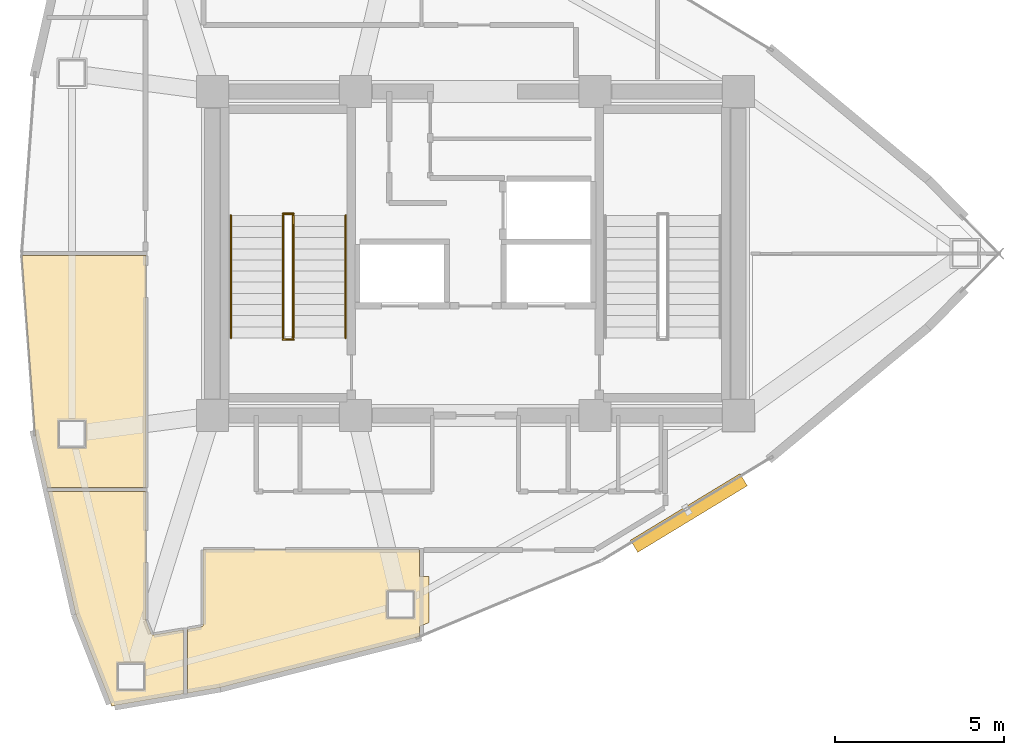
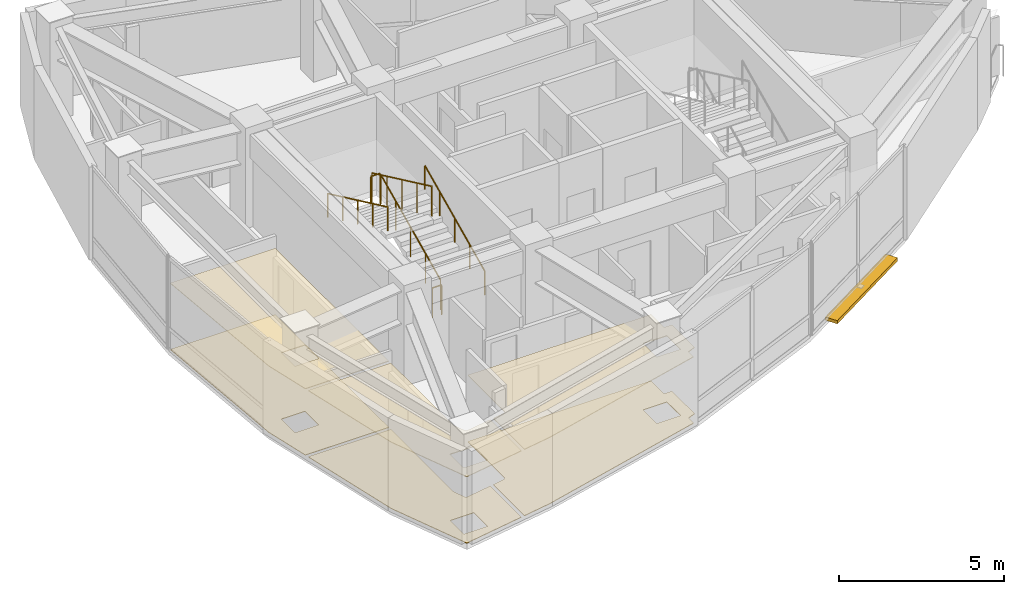
# One storey, part 14 of 15: 6 coverings, 6 railings, 1 shading device.
"""IFC4 building model written with IfcOpenShell, lengths in metres."""

from ifc_helpers import new_model, si_unit, direction, frame, origin, origin_2d, place, context, subcontext, project, spatial, polyline, rectangle, circle, outline, extrude, material, layer, layer_set, type_object, element, save


model = new_model("IFC4")

# Units and contexts
model_context = context("Model", 3, precision=1e-05, world=origin(), true_north=direction((0.0, 1.0)))
body_context = subcontext(model_context, "Body", "Model", "MODEL_VIEW")
ifc_project = project(units=[si_unit("LENGTHUNIT", "METRE"), si_unit("AREAUNIT", "SQUARE_METRE"), si_unit("VOLUMEUNIT", "CUBIC_METRE"), si_unit("PLANEANGLEUNIT", "RADIAN"), si_unit("MASSUNIT", "GRAM", prefix="KILO")], contexts=[model_context])

# Site, building, storey
site_placement = place(None, origin())
site = spatial("IfcSite", under=ifc_project, at=site_placement, CompositionType="ELEMENT")
building_placement = place(site_placement, origin())
building = spatial("IfcBuilding", under=site, at=building_placement, Name="Menara Vayukalpa", CompositionType="ELEMENT")
storey_placement = place(building_placement, frame((0.0, 0.0, 295.5)))
storey = spatial("IfcBuildingStorey", under=building, at=storey_placement, Name="L75", CompositionType="ELEMENT", Elevation=295.5)

# Coverings
ifc_material_1 = material(Name="Mineral Fibre Acoustic Ceiling Tile", Category="masonry")
ifc_layer_1 = layer(ifc_material_1, 0.02490234375)
ifc_layer_set_1 = layer_set([ifc_layer_1], Name="Mineral Fibre Acoustic Ceiling Tile")
covering_type_1 = type_object("IfcCoveringType", Name="COV-CLG1", PredefinedType="CEILING", material=ifc_layer_set_1)
covering_1_placement = place(storey_placement, frame((0.0, 0.0, 2.449951171875)))
element("IfcCovering", 1, at=covering_1_placement, inside=storey, type_object=covering_type_1, Name="L75 Visitor Reception Lounge Acoustic Ceiling", PredefinedType="CEILING", context=body_context, shape_type="SweptSolid", body=[
    extrude(outline(polyline([(12.1533203125, 21.92919921875), (12.1533203125, 21.93017578125), (12.1533203125, 21.93115234375), (12.153564453125, 21.93212890625), (12.15380859375, 21.93310546875), (12.154052734375, 21.93408203125), (12.154541015625, 21.934814453125), (12.155029296875, 21.935791015625), (12.155517578125, 21.936279296875), (12.15625, 21.93701171875), (12.156982421875, 21.937744140625), (12.15771484375, 21.9384765625), (12.15869140625, 21.93896484375), (12.159423828125, 21.939208984375), (12.160400390625, 21.939697265625), (12.161376953125, 21.939697265625), (12.162353515625, 21.93994140625), (12.163330078125, 21.93994140625), (15.820068359375, 21.93994140625), (15.821044921875, 21.93994140625), (15.822021484375, 21.939697265625), (15.822998046875, 21.939697265625), (15.82373046875, 21.939208984375), (15.82470703125, 21.938720703125), (15.82568359375, 21.938232421875), (15.826416015625, 21.937744140625), (15.8271484375, 21.93701171875), (15.82763671875, 21.936279296875), (15.828369140625, 21.935546875), (15.828857421875, 21.934814453125), (15.8291015625, 21.933837890625), (15.82958984375, 21.932861328125), (15.829833984375, 21.931884765625), (15.830078125, 21.930908203125), (15.830078125, 21.929931640625), (15.830078125, 15.070068359375), (15.830078125, 15.069091796875), (15.829833984375, 15.068115234375), (15.82958984375, 15.067138671875), (15.8291015625, 15.066162109375), (15.828857421875, 15.065185546875), (15.828369140625, 15.064453125), (15.82763671875, 15.063720703125), (15.8271484375, 15.06298828125), (15.826416015625, 15.062255859375), (15.82568359375, 15.061767578125), (15.82470703125, 15.061279296875), (15.82373046875, 15.060791015625), (15.822998046875, 15.060302734375), (15.822021484375, 15.060302734375), (15.821044921875, 15.06005859375), (15.820068359375, 15.06005859375), (12.915771484375, 15.06005859375), (12.914794921875, 15.06005859375), (12.913818359375, 15.060302734375), (12.912841796875, 15.060302734375), (12.911865234375, 15.060791015625), (12.9111328125, 15.06103515625), (12.91015625, 15.0615234375), (12.909423828125, 15.062255859375), (12.90869140625, 15.062744140625), (12.908203125, 15.0634765625), (12.907470703125, 15.064208984375), (12.906982421875, 15.065185546875), (12.906494140625, 15.06591796875), (12.90625, 15.06689453125), (12.906005859375, 15.06787109375), (12.549072265625, 16.654052734375), (12.548828125, 16.655517578125), (12.1533203125, 21.92919921875)]), holes=[polyline([(14.053955078125, 17.068359375), (13.22412109375, 17.068359375), (13.22412109375, 16.23828125), (14.053955078125, 16.23828125), (14.053955078125, 17.068359375)])]), origin(), (0.0, 0.0, 1.0), 0.025146484375),
])
covering_2_placement = place(storey_placement, frame((0.0, 0.0, 2.449951171875)))
element("IfcCovering", 2, at=covering_2_placement, inside=storey, type_object=covering_type_1, Name="L75 Visitor Reception Lounge Acoustic Ceiling", PredefinedType="CEILING", context=body_context, shape_type="SweptSolid", body=[
    extrude(outline(polyline([(14.826416015625, 8.589111328125), (14.82568359375, 8.58935546875), (14.82470703125, 8.58935546875), (14.82373046875, 8.589599609375), (14.82275390625, 8.590087890625), (14.822021484375, 8.590576171875), (14.821044921875, 8.591064453125), (14.8203125, 8.591552734375), (14.819580078125, 8.59228515625), (14.81884765625, 8.593017578125), (14.818359375, 8.59375), (14.81787109375, 8.5947265625), (14.8173828125, 8.595458984375), (13.751953125, 11.308837890625), (13.751708984375, 11.309814453125), (13.75146484375, 11.310302734375), (12.9375, 14.927734375), (12.937255859375, 14.9287109375), (12.937255859375, 14.9296875), (12.937255859375, 14.930908203125), (12.9375, 14.931884765625), (12.9375, 14.9326171875), (12.93798828125, 14.93359375), (12.938232421875, 14.9345703125), (12.938720703125, 14.935302734375), (12.939453125, 14.936279296875), (12.940185546875, 14.93701171875), (12.94091796875, 14.937744140625), (12.941650390625, 14.938232421875), (12.9423828125, 14.938720703125), (12.943359375, 14.939208984375), (12.9443359375, 14.939697265625), (12.9453125, 14.939697265625), (12.9462890625, 14.93994140625), (12.947265625, 14.93994140625), (15.820068359375, 14.93994140625), (15.821044921875, 14.93994140625), (15.822021484375, 14.939697265625), (15.822998046875, 14.939697265625), (15.82373046875, 14.939208984375), (15.82470703125, 14.938720703125), (15.82568359375, 14.938232421875), (15.826416015625, 14.937744140625), (15.8271484375, 14.93701171875), (15.82763671875, 14.936279296875), (15.828369140625, 14.935546875), (15.828857421875, 14.934814453125), (15.8291015625, 14.933837890625), (15.82958984375, 14.932861328125), (15.829833984375, 14.931884765625), (15.830078125, 14.930908203125), (15.830078125, 14.929931640625), (15.830078125, 11.146484375), (15.830322265625, 11.1396484375), (15.831298828125, 11.13330078125), (15.832763671875, 11.126708984375), (15.8349609375, 11.12060546875), (15.984619140625, 10.7392578125), (15.987548828125, 10.732666015625), (15.990966796875, 10.726806640625), (15.994873046875, 10.72119140625), (15.999267578125, 10.716064453125), (16.00439453125, 10.71142578125), (16.009765625, 10.707275390625), (16.015625, 10.70361328125), (16.021484375, 10.700439453125), (16.02783203125, 10.697998046875), (16.034423828125, 10.6962890625), (16.041259765625, 10.695068359375), (16.048095703125, 10.694580078125), (16.054931640625, 10.694580078125), (16.06201171875, 10.695556640625), (16.92822265625, 10.8427734375), (16.92919921875, 10.8427734375), (16.93017578125, 10.8427734375), (16.93115234375, 10.8427734375), (16.93212890625, 10.842529296875), (16.93310546875, 10.84228515625), (16.93408203125, 10.842041015625), (16.934814453125, 10.841552734375), (16.935791015625, 10.841064453125), (16.9365234375, 10.84033203125), (16.937255859375, 10.83984375), (16.937744140625, 10.839111328125), (16.9384765625, 10.83837890625), (16.93896484375, 10.83740234375), (16.939208984375, 10.836669921875), (16.939697265625, 10.835693359375), (16.939697265625, 10.834716796875), (16.93994140625, 10.833740234375), (16.93994140625, 10.832763671875), (16.93994140625, 8.956298828125), (16.93994140625, 8.955322265625), (16.939697265625, 8.954345703125), (16.939697265625, 8.953369140625), (16.939208984375, 8.952392578125), (16.938720703125, 8.951416015625), (16.938232421875, 8.95068359375), (16.9375, 8.94970703125), (16.93701171875, 8.94921875), (16.936279296875, 8.948486328125), (16.935302734375, 8.947998046875), (16.9345703125, 8.947509765625), (16.93359375, 8.947021484375), (16.9326171875, 8.94677734375), (16.931640625, 8.9462890625), (14.82861328125, 8.58935546875), (14.827392578125, 8.589111328125), (14.826416015625, 8.589111328125)]), holes=[polyline([(14.97412109375, 9.870361328125), (14.97412109375, 9.040283203125), (15.80419921875, 9.040283203125), (15.80419921875, 9.870361328125), (14.97412109375, 9.870361328125)])]), origin(), (0.0, 0.0, 1.0), 0.025146484375),
])
covering_3_placement = place(storey_placement, frame((0.0, 0.0, 2.449951171875)))
element("IfcCovering", 3, at=covering_3_placement, inside=storey, type_object=covering_type_1, Name="L75 Visitor Reception Lounge Acoustic Ceiling", PredefinedType="CEILING", context=body_context, shape_type="SweptSolid", body=[
    extrude(outline(polyline([(18.028564453125, 9.1328125), (18.027587890625, 9.132568359375), (17.07177734375, 8.97021484375), (17.07080078125, 8.97021484375), (17.069580078125, 8.97021484375), (17.06884765625, 8.97021484375), (17.06787109375, 8.97021484375), (17.06689453125, 8.970703125), (17.06591796875, 8.970947265625), (17.065185546875, 8.971435546875), (17.064208984375, 8.971923828125), (17.0634765625, 8.972412109375), (17.062744140625, 8.97314453125), (17.062255859375, 8.973876953125), (17.0615234375, 8.974609375), (17.06103515625, 8.9755859375), (17.060791015625, 8.976318359375), (17.060302734375, 8.977294921875), (17.060302734375, 8.978271484375), (17.06005859375, 8.97900390625), (17.06005859375, 8.97998046875), (17.06005859375, 10.8564453125), (17.06005859375, 10.857421875), (17.060302734375, 10.8583984375), (17.060302734375, 10.859619140625), (17.060791015625, 10.8603515625), (17.061279296875, 10.861328125), (17.061767578125, 10.8623046875), (17.0625, 10.863037109375), (17.06298828125, 10.86376953125), (17.063720703125, 10.8642578125), (17.064697265625, 10.864990234375), (17.0654296875, 10.865478515625), (17.06640625, 10.86572265625), (17.0673828125, 10.8662109375), (17.068359375, 10.866455078125), (17.471435546875, 10.934814453125), (17.478515625, 10.936279296875), (17.485107421875, 10.938720703125), (17.49169921875, 10.94140625), (17.497802734375, 10.94482421875), (17.50341796875, 10.94921875), (17.5087890625, 10.95361328125), (17.513427734375, 10.958740234375), (17.517822265625, 10.96435546875), (17.521484375, 10.97021484375), (17.5244140625, 10.9765625), (17.52685546875, 10.983154296875), (17.528564453125, 10.989990234375), (17.529541015625, 10.996826171875), (17.530029296875, 11.004150390625), (17.530029296875, 13.2099609375), (17.530029296875, 13.2109375), (17.5302734375, 13.2119140625), (17.530517578125, 13.212890625), (17.53076171875, 13.2138671875), (17.53125, 13.214599609375), (17.53173828125, 13.215576171875), (17.5322265625, 13.21630859375), (17.532958984375, 13.217041015625), (17.53369140625, 13.2177734375), (17.534423828125, 13.21826171875), (17.535400390625, 13.21875), (17.5361328125, 13.21923828125), (17.537109375, 13.219482421875), (17.5380859375, 13.2197265625), (17.5390625, 13.219970703125), (17.5400390625, 13.219970703125), (23.929931640625, 13.219970703125), (23.930908203125, 13.219970703125), (23.931884765625, 13.2197265625), (23.932861328125, 13.219482421875), (23.933837890625, 13.21923828125), (23.934814453125, 13.21875), (23.935546875, 13.21826171875), (23.936279296875, 13.2177734375), (23.93701171875, 13.217041015625), (23.937744140625, 13.21630859375), (23.938232421875, 13.215576171875), (23.938720703125, 13.214599609375), (23.939208984375, 13.2138671875), (23.939697265625, 13.212890625), (23.939697265625, 13.2119140625), (23.93994140625, 13.2109375), (23.93994140625, 13.2099609375), (23.93994140625, 12.43017578125), (24.216796875, 12.43017578125), (24.216796875, 11.05908203125), (23.93994140625, 10.943115234375), (23.93994140625, 10.656982421875), (23.93994140625, 10.656005859375), (23.939697265625, 10.6552734375), (23.939697265625, 10.654296875), (23.939208984375, 10.6533203125), (23.938720703125, 10.65234375), (23.938232421875, 10.651611328125), (23.937744140625, 10.65087890625), (23.93701171875, 10.64990234375), (23.936279296875, 10.6494140625), (23.935546875, 10.648681640625), (23.934814453125, 10.648193359375), (23.933837890625, 10.64794921875), (23.878662109375, 10.624755859375), (23.877197265625, 10.624267578125), (18.028564453125, 9.1328125)]), holes=[polyline([(23.796875, 12.01025390625), (22.966796875, 12.01025390625), (22.966796875, 11.18017578125), (23.796875, 11.18017578125), (23.796875, 12.01025390625)])]), origin(), (0.0, 0.0, 1.0), 0.025146484375),
])
ifc_material_2 = material(Name="Porcelain Stoneware Floor Tile", Category="masonry")
ifc_layer_2 = layer(ifc_material_2, 0.02001953125)
ifc_layer_set_2 = layer_set([ifc_layer_2], Name="Porcelain Stoneware Floor Tile")
covering_type_2 = type_object("IfcCoveringType", Name="COV-FLR1", PredefinedType="FLOORING", material=ifc_layer_set_2)
covering_4_placement = place(storey_placement, origin())
element("IfcCovering", 4, at=covering_4_placement, inside=storey, type_object=covering_type_2, Name="L75 Visitor Reception Lounge Porcelain Flooring", PredefinedType="FLOORING", context=body_context, shape_type="SweptSolid", body=[
    extrude(outline(polyline([(12.1533203125, 21.92919921875), (12.1533203125, 21.93017578125), (12.1533203125, 21.93115234375), (12.153564453125, 21.93212890625), (12.15380859375, 21.93310546875), (12.154052734375, 21.93408203125), (12.154541015625, 21.934814453125), (12.155029296875, 21.935791015625), (12.155517578125, 21.936279296875), (12.15625, 21.93701171875), (12.156982421875, 21.937744140625), (12.15771484375, 21.9384765625), (12.15869140625, 21.93896484375), (12.159423828125, 21.939208984375), (12.160400390625, 21.939697265625), (12.161376953125, 21.939697265625), (12.162353515625, 21.93994140625), (12.163330078125, 21.93994140625), (15.820068359375, 21.93994140625), (15.821044921875, 21.93994140625), (15.822021484375, 21.939697265625), (15.822998046875, 21.939697265625), (15.82373046875, 21.939208984375), (15.82470703125, 21.938720703125), (15.82568359375, 21.938232421875), (15.826416015625, 21.937744140625), (15.8271484375, 21.93701171875), (15.82763671875, 21.936279296875), (15.828369140625, 21.935546875), (15.828857421875, 21.934814453125), (15.8291015625, 21.933837890625), (15.82958984375, 21.932861328125), (15.829833984375, 21.931884765625), (15.830078125, 21.930908203125), (15.830078125, 21.929931640625), (15.830078125, 15.070068359375), (15.830078125, 15.069091796875), (15.829833984375, 15.068115234375), (15.82958984375, 15.067138671875), (15.8291015625, 15.066162109375), (15.828857421875, 15.065185546875), (15.828369140625, 15.064453125), (15.82763671875, 15.063720703125), (15.8271484375, 15.06298828125), (15.826416015625, 15.062255859375), (15.82568359375, 15.061767578125), (15.82470703125, 15.061279296875), (15.82373046875, 15.060791015625), (15.822998046875, 15.060302734375), (15.822021484375, 15.060302734375), (15.821044921875, 15.06005859375), (15.820068359375, 15.06005859375), (12.915771484375, 15.06005859375), (12.914794921875, 15.06005859375), (12.913818359375, 15.060302734375), (12.912841796875, 15.060302734375), (12.911865234375, 15.060791015625), (12.9111328125, 15.06103515625), (12.91015625, 15.0615234375), (12.909423828125, 15.062255859375), (12.90869140625, 15.062744140625), (12.908203125, 15.0634765625), (12.907470703125, 15.064208984375), (12.906982421875, 15.065185546875), (12.906494140625, 15.06591796875), (12.90625, 15.06689453125), (12.906005859375, 15.06787109375), (12.549072265625, 16.654052734375), (12.548828125, 16.655517578125), (12.1533203125, 21.92919921875)]), holes=[polyline([(14.053955078125, 17.068359375), (13.22412109375, 17.068359375), (13.22412109375, 16.23828125), (14.053955078125, 16.23828125), (14.053955078125, 17.068359375)])]), origin(), (0.0, 0.0, 1.0), 0.02001953125),
])
covering_5_placement = place(storey_placement, origin())
element("IfcCovering", 5, at=covering_5_placement, inside=storey, type_object=covering_type_2, Name="L75 Visitor Reception Lounge Porcelain Flooring", PredefinedType="FLOORING", context=body_context, shape_type="SweptSolid", body=[
    extrude(outline(polyline([(14.826416015625, 8.589111328125), (14.82568359375, 8.58935546875), (14.82470703125, 8.58935546875), (14.82373046875, 8.589599609375), (14.82275390625, 8.590087890625), (14.822021484375, 8.590576171875), (14.821044921875, 8.591064453125), (14.8203125, 8.591552734375), (14.819580078125, 8.59228515625), (14.81884765625, 8.593017578125), (14.818359375, 8.59375), (14.81787109375, 8.5947265625), (14.8173828125, 8.595458984375), (13.751953125, 11.308837890625), (13.751708984375, 11.309814453125), (13.75146484375, 11.310302734375), (12.9375, 14.927734375), (12.937255859375, 14.9287109375), (12.937255859375, 14.9296875), (12.937255859375, 14.930908203125), (12.9375, 14.931884765625), (12.9375, 14.9326171875), (12.93798828125, 14.93359375), (12.938232421875, 14.9345703125), (12.938720703125, 14.935302734375), (12.939453125, 14.936279296875), (12.940185546875, 14.93701171875), (12.94091796875, 14.937744140625), (12.941650390625, 14.938232421875), (12.9423828125, 14.938720703125), (12.943359375, 14.939208984375), (12.9443359375, 14.939697265625), (12.9453125, 14.939697265625), (12.9462890625, 14.93994140625), (12.947265625, 14.93994140625), (15.820068359375, 14.93994140625), (15.821044921875, 14.93994140625), (15.822021484375, 14.939697265625), (15.822998046875, 14.939697265625), (15.82373046875, 14.939208984375), (15.82470703125, 14.938720703125), (15.82568359375, 14.938232421875), (15.826416015625, 14.937744140625), (15.8271484375, 14.93701171875), (15.82763671875, 14.936279296875), (15.828369140625, 14.935546875), (15.828857421875, 14.934814453125), (15.8291015625, 14.933837890625), (15.82958984375, 14.932861328125), (15.829833984375, 14.931884765625), (15.830078125, 14.930908203125), (15.830078125, 14.929931640625), (15.830078125, 11.146484375), (15.830322265625, 11.1396484375), (15.831298828125, 11.13330078125), (15.832763671875, 11.126708984375), (15.8349609375, 11.12060546875), (15.984619140625, 10.7392578125), (15.987548828125, 10.732666015625), (15.990966796875, 10.726806640625), (15.994873046875, 10.72119140625), (15.999267578125, 10.716064453125), (16.00439453125, 10.71142578125), (16.009765625, 10.707275390625), (16.015625, 10.70361328125), (16.021484375, 10.700439453125), (16.02783203125, 10.697998046875), (16.034423828125, 10.6962890625), (16.041259765625, 10.695068359375), (16.048095703125, 10.694580078125), (16.054931640625, 10.694580078125), (16.06201171875, 10.695556640625), (16.92822265625, 10.8427734375), (16.92919921875, 10.8427734375), (16.93017578125, 10.8427734375), (16.93115234375, 10.8427734375), (16.93212890625, 10.842529296875), (16.93310546875, 10.84228515625), (16.93408203125, 10.842041015625), (16.934814453125, 10.841552734375), (16.935791015625, 10.841064453125), (16.9365234375, 10.84033203125), (16.937255859375, 10.83984375), (16.937744140625, 10.839111328125), (16.9384765625, 10.83837890625), (16.93896484375, 10.83740234375), (16.939208984375, 10.836669921875), (16.939697265625, 10.835693359375), (16.939697265625, 10.834716796875), (16.93994140625, 10.833740234375), (16.93994140625, 10.832763671875), (16.93994140625, 8.956298828125), (16.93994140625, 8.955322265625), (16.939697265625, 8.954345703125), (16.939697265625, 8.953369140625), (16.939208984375, 8.952392578125), (16.938720703125, 8.951416015625), (16.938232421875, 8.95068359375), (16.9375, 8.94970703125), (16.93701171875, 8.94921875), (16.936279296875, 8.948486328125), (16.935302734375, 8.947998046875), (16.9345703125, 8.947509765625), (16.93359375, 8.947021484375), (16.9326171875, 8.94677734375), (16.931640625, 8.9462890625), (14.82861328125, 8.58935546875), (14.827392578125, 8.589111328125), (14.826416015625, 8.589111328125)]), holes=[polyline([(14.97412109375, 9.870361328125), (14.97412109375, 9.040283203125), (15.80419921875, 9.040283203125), (15.80419921875, 9.870361328125), (14.97412109375, 9.870361328125)])]), origin(), (0.0, 0.0, 1.0), 0.02001953125),
])
covering_6_placement = place(storey_placement, origin())
element("IfcCovering", 6, at=covering_6_placement, inside=storey, type_object=covering_type_2, Name="L75 Visitor Reception Lounge Porcelain Flooring", PredefinedType="FLOORING", context=body_context, shape_type="SweptSolid", body=[
    extrude(outline(polyline([(18.028564453125, 9.1328125), (18.027587890625, 9.132568359375), (17.07177734375, 8.97021484375), (17.07080078125, 8.97021484375), (17.069580078125, 8.97021484375), (17.06884765625, 8.97021484375), (17.06787109375, 8.97021484375), (17.06689453125, 8.970703125), (17.06591796875, 8.970947265625), (17.065185546875, 8.971435546875), (17.064208984375, 8.971923828125), (17.0634765625, 8.972412109375), (17.062744140625, 8.97314453125), (17.062255859375, 8.973876953125), (17.0615234375, 8.974609375), (17.06103515625, 8.9755859375), (17.060791015625, 8.976318359375), (17.060302734375, 8.977294921875), (17.060302734375, 8.978271484375), (17.06005859375, 8.97900390625), (17.06005859375, 8.97998046875), (17.06005859375, 10.8564453125), (17.06005859375, 10.857421875), (17.060302734375, 10.8583984375), (17.060302734375, 10.859619140625), (17.060791015625, 10.8603515625), (17.061279296875, 10.861328125), (17.061767578125, 10.8623046875), (17.0625, 10.863037109375), (17.06298828125, 10.86376953125), (17.063720703125, 10.8642578125), (17.064697265625, 10.864990234375), (17.0654296875, 10.865478515625), (17.06640625, 10.86572265625), (17.0673828125, 10.8662109375), (17.068359375, 10.866455078125), (17.471435546875, 10.934814453125), (17.478515625, 10.936279296875), (17.485107421875, 10.938720703125), (17.49169921875, 10.94140625), (17.497802734375, 10.94482421875), (17.50341796875, 10.94921875), (17.5087890625, 10.95361328125), (17.513427734375, 10.958740234375), (17.517822265625, 10.96435546875), (17.521484375, 10.97021484375), (17.5244140625, 10.9765625), (17.52685546875, 10.983154296875), (17.528564453125, 10.989990234375), (17.529541015625, 10.996826171875), (17.530029296875, 11.004150390625), (17.530029296875, 13.2099609375), (17.530029296875, 13.2109375), (17.5302734375, 13.2119140625), (17.530517578125, 13.212890625), (17.53076171875, 13.2138671875), (17.53125, 13.214599609375), (17.53173828125, 13.215576171875), (17.5322265625, 13.21630859375), (17.532958984375, 13.217041015625), (17.53369140625, 13.2177734375), (17.534423828125, 13.21826171875), (17.535400390625, 13.21875), (17.5361328125, 13.21923828125), (17.537109375, 13.219482421875), (17.5380859375, 13.2197265625), (17.5390625, 13.219970703125), (17.5400390625, 13.219970703125), (23.929931640625, 13.219970703125), (23.930908203125, 13.219970703125), (23.931884765625, 13.2197265625), (23.932861328125, 13.219482421875), (23.933837890625, 13.21923828125), (23.934814453125, 13.21875), (23.935546875, 13.21826171875), (23.936279296875, 13.2177734375), (23.93701171875, 13.217041015625), (23.937744140625, 13.21630859375), (23.938232421875, 13.215576171875), (23.938720703125, 13.214599609375), (23.939208984375, 13.2138671875), (23.939697265625, 13.212890625), (23.939697265625, 13.2119140625), (23.93994140625, 13.2109375), (23.93994140625, 13.2099609375), (23.93994140625, 12.43017578125), (24.216796875, 12.43017578125), (24.216796875, 11.05908203125), (23.93994140625, 10.943115234375), (23.93994140625, 10.656982421875), (23.93994140625, 10.656005859375), (23.939697265625, 10.6552734375), (23.939697265625, 10.654296875), (23.939208984375, 10.6533203125), (23.938720703125, 10.65234375), (23.938232421875, 10.651611328125), (23.937744140625, 10.65087890625), (23.93701171875, 10.64990234375), (23.936279296875, 10.6494140625), (23.935546875, 10.648681640625), (23.934814453125, 10.648193359375), (23.933837890625, 10.64794921875), (23.878662109375, 10.624755859375), (23.877197265625, 10.624267578125), (18.028564453125, 9.1328125)]), holes=[polyline([(23.796875, 12.01025390625), (22.966796875, 12.01025390625), (22.966796875, 11.18017578125), (23.796875, 11.18017578125), (23.796875, 12.01025390625)])]), origin(), (0.0, 0.0, 1.0), 0.02001953125),
])

# Railings
ifc_material_3 = material(Name="Powder-Coated Galvanised Steel Guardrail", Category="steel")
railing_type_1 = type_object("IfcRailingType", Name="RLG-STG110", PredefinedType="GUARDRAIL", material=ifc_material_3)
railing_1_placement = place(storey_placement, frame((20.199951171875, 19.5, 0.155029296875)))
element("IfcRailing", 7, at=railing_1_placement, inside=storey, type_object=railing_type_1, Name="L75 ST-1 stair guard 1", PredefinedType="GUARDRAIL", context=body_context, shape_type="SweptSolid", body=[
    extrude(circle(Radius=0.02392578125, at=origin_2d()), frame((0.0, 0.0, 1.09619140625), z_axis=(0.0, 0.90511648382, 0.425163675209), x_axis=(-1.0, 0.0, 0.0)), (0.0, 0.0, 1.0), 4.010498046875),
    extrude(circle(Radius=0.02099609375, at=origin_2d()), origin(), (0.0, 0.0, 1.0), 1.072021484375),
    extrude(circle(Radius=0.02099609375, at=origin_2d()), frame((0.0, 0.907470703125, 0.42626953125)), (0.0, 0.0, 1.0), 1.072021484375),
    extrude(circle(Radius=0.02099609375, at=origin_2d()), frame((0.0, 1.81494140625, 0.8525390625)), (0.0, 0.0, 1.0), 1.072021484375),
    extrude(circle(Radius=0.02099609375, at=origin_2d()), frame((0.0, 2.722412109375, 1.27880859375)), (0.0, 0.0, 1.0), 1.072021484375),
    extrude(circle(Radius=0.02099609375, at=origin_2d()), frame((0.0, 3.6298828125, 1.705078125)), (0.0, 0.0, 1.0), 1.072021484375),
])
railing_2_placement = place(storey_placement, frame((20.2099609375, 23.179931640625, 1.860107421875)))
element("IfcRailing", 8, at=railing_2_placement, inside=storey, type_object=railing_type_1, Name="L75 ST-1 stair guard 2", PredefinedType="GUARDRAIL", context=body_context, shape_type="SweptSolid", body=[
    extrude(circle(Radius=0.02392578125, at=origin_2d()), frame((0.0, 0.0, 1.09619140625), z_axis=(-1.0, 0.0, 0.0), x_axis=(0.0, -1.0, 0.0)), (0.0, 0.0, 1.0), 0.320068359375),
    extrude(circle(Radius=0.02099609375, at=origin_2d()), origin(), (0.0, 0.0, 1.0), 1.072021484375),
    extrude(circle(Radius=0.02099609375, at=origin_2d()), frame((-0.320068359375, 0.0, 0.0)), (0.0, 0.0, 1.0), 1.072021484375),
])
railing_3_placement = place(storey_placement, frame((19.89990234375, 23.1298828125, 2.014892578125)))
element("IfcRailing", 9, at=railing_3_placement, inside=storey, type_object=railing_type_1, Name="L75 ST-1 stair guard 3", PredefinedType="GUARDRAIL", context=body_context, shape_type="SweptSolid", body=[
    extrude(circle(Radius=0.02392578125, at=origin_2d()), frame((0.0, 0.0, 1.09619140625), z_axis=(0.0, -0.90511648382, 0.425163675209), x_axis=(1.0, 0.0, 0.0)), (0.0, 0.0, 1.0), 4.010498046875),
    extrude(circle(Radius=0.02099609375, at=origin_2d()), origin(), (0.0, 0.0, 1.0), 1.072021484375),
    extrude(circle(Radius=0.02099609375, at=origin_2d()), frame((0.0, -0.907470703125, 0.42626953125)), (0.0, 0.0, 1.0), 1.072021484375),
    extrude(circle(Radius=0.02099609375, at=origin_2d()), frame((0.0, -1.81494140625, 0.8525390625)), (0.0, 0.0, 1.0), 1.072021484375),
    extrude(circle(Radius=0.02099609375, at=origin_2d()), frame((0.0, -2.722412109375, 1.27880859375)), (0.0, 0.0, 1.0), 1.072021484375),
    extrude(circle(Radius=0.02099609375, at=origin_2d()), frame((0.0, -3.6298828125, 1.705078125)), (0.0, 0.0, 1.0), 1.072021484375),
])
railing_4_placement = place(storey_placement, frame((20.2099609375, 19.449951171875, 0.0)))
element("IfcRailing", 10, at=railing_4_placement, inside=storey, type_object=railing_type_1, Name="L75 ST-1 stair guard 4", PredefinedType="GUARDRAIL", context=body_context, shape_type="SweptSolid", body=[
    extrude(circle(Radius=0.02392578125, at=origin_2d()), frame((0.0, 0.0, 1.09619140625), z_axis=(-1.0, 0.0, 0.0), x_axis=(0.0, -1.0, 0.0)), (0.0, 0.0, 1.0), 0.320068359375),
    extrude(circle(Radius=0.02099609375, at=origin_2d()), origin(), (0.0, 0.0, 1.0), 1.072021484375),
    extrude(circle(Radius=0.02099609375, at=origin_2d()), frame((-0.320068359375, 0.0, 0.0)), (0.0, 0.0, 1.0), 1.072021484375),
])
ifc_material_4 = material(Name="Stainless Steel 316 Tubular Handrail", Category="steel")
railing_type_2 = type_object("IfcRailingType", Name="RLG-STH090", PredefinedType="HANDRAIL", material=ifc_material_4)
railing_5_placement = place(storey_placement, frame((21.75, 19.5, 0.155029296875)))
element("IfcRailing", 11, at=railing_5_placement, inside=storey, type_object=railing_type_2, Name="L75 ST-1 stair handrail 1", PredefinedType="HANDRAIL", context=body_context, shape_type="SweptSolid", body=[
    extrude(circle(Radius=0.02392578125, at=origin_2d()), frame((0.0, 0.0, 0.8759765625), z_axis=(0.0, 0.90511648382, 0.425163675209), x_axis=(-1.0, 0.0, 0.0)), (0.0, 0.0, 1.0), 4.010498046875),
    extrude(circle(Radius=0.02099609375, at=origin_2d()), origin(), (0.0, 0.0, 1.0), 0.851806640625),
    extrude(circle(Radius=0.02099609375, at=origin_2d()), frame((0.0, 0.907470703125, 0.42626953125)), (0.0, 0.0, 1.0), 0.851806640625),
    extrude(circle(Radius=0.02099609375, at=origin_2d()), frame((0.0, 1.81494140625, 0.8525390625)), (0.0, 0.0, 1.0), 0.851806640625),
    extrude(circle(Radius=0.02099609375, at=origin_2d()), frame((0.0, 2.722412109375, 1.27880859375)), (0.0, 0.0, 1.0), 0.851806640625),
    extrude(circle(Radius=0.02099609375, at=origin_2d()), frame((0.0, 3.6298828125, 1.705078125)), (0.0, 0.0, 1.0), 0.851806640625),
])
railing_6_placement = place(storey_placement, frame((18.35009765625, 23.1298828125, 2.014892578125)))
element("IfcRailing", 12, at=railing_6_placement, inside=storey, type_object=railing_type_2, Name="L75 ST-1 stair handrail 2", PredefinedType="HANDRAIL", context=body_context, shape_type="SweptSolid", body=[
    extrude(circle(Radius=0.02392578125, at=origin_2d()), frame((0.0, 0.0, 0.8759765625), z_axis=(0.0, -0.90511648382, 0.425163675209), x_axis=(1.0, 0.0, 0.0)), (0.0, 0.0, 1.0), 4.010498046875),
    extrude(circle(Radius=0.02099609375, at=origin_2d()), origin(), (0.0, 0.0, 1.0), 0.851806640625),
    extrude(circle(Radius=0.02099609375, at=origin_2d()), frame((0.0, -0.907470703125, 0.42626953125)), (0.0, 0.0, 1.0), 0.851806640625),
    extrude(circle(Radius=0.02099609375, at=origin_2d()), frame((0.0, -1.81494140625, 0.8525390625)), (0.0, 0.0, 1.0), 0.851806640625),
    extrude(circle(Radius=0.02099609375, at=origin_2d()), frame((0.0, -2.722412109375, 1.27880859375)), (0.0, 0.0, 1.0), 0.851806640625),
    extrude(circle(Radius=0.02099609375, at=origin_2d()), frame((0.0, -3.6298828125, 1.705078125)), (0.0, 0.0, 1.0), 0.851806640625),
])

# Shading device
ifc_material_5 = material(Name="Glazed Terracotta Ceramic Baguette Extrusion", Category="masonry")
ifc_layer_3 = layer(ifc_material_5, 0.1201171875)
ifc_layer_set_3 = layer_set([ifc_layer_3], Name="Glazed Terracotta Ceramic Baguette Extrusion")
shading_device_type = type_object("IfcShadingDeviceType", Name="SHD-SS1", PredefinedType="USERDEFINED", material=ifc_layer_set_3)
shading_device_placement = place(storey_placement, frame((31.927978515625, 14.30859375, -0.10009765625), z_axis=(0.0, 0.0, 1.0), x_axis=(0.85466730962, 0.519176068272, 0.0)))
element("IfcShadingDevice", 13, at=shading_device_placement, inside=storey, type_object=shading_device_type, Name="L75 Horizontal Terracotta Sunshade Band 17", ObjectType="SUNSHADE", PredefinedType="USERDEFINED", context=body_context, shape_type="SweptSolid", body=[
    extrude(rectangle(XDim=3.800048828125, YDim=0.419921875, at=origin_2d()), origin(), (0.0, 0.0, 1.0), 0.1201171875),
])

save(model, "model.ifc")
